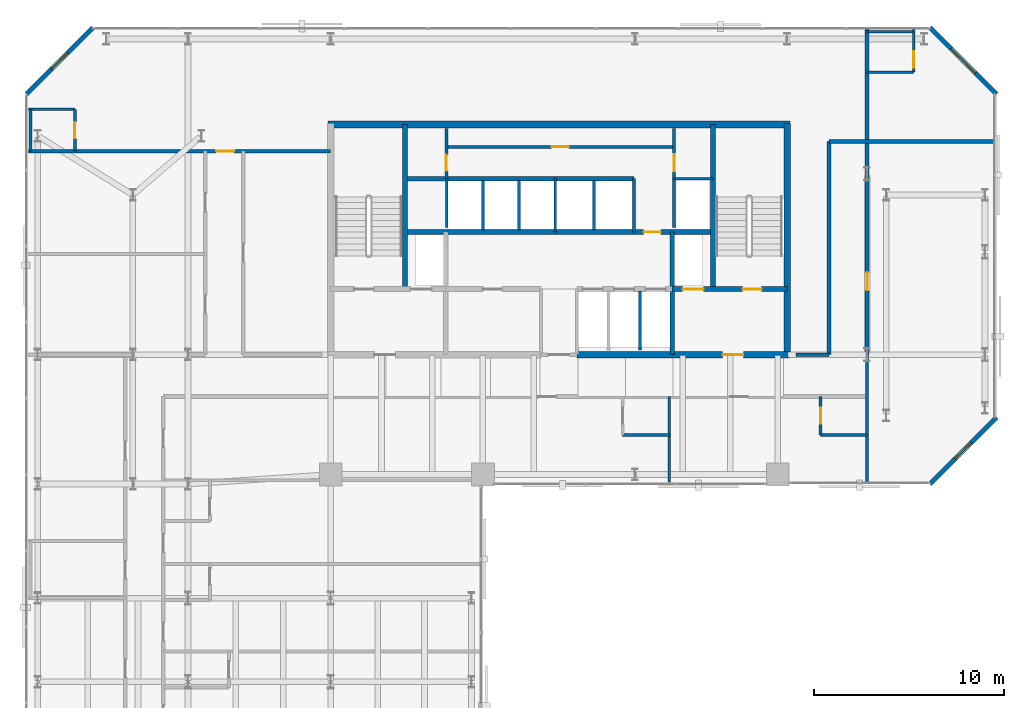
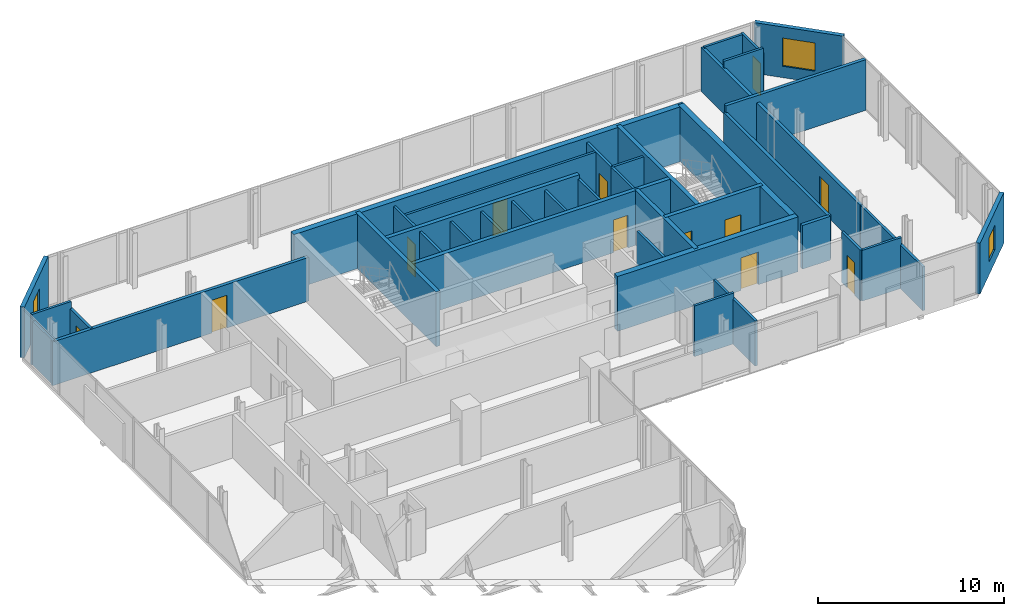
# One storey, part 29 of 32: 40 walls, 12 doors, 3 windows, 15 openings.
"""IFC4 building model written with IfcOpenShell, lengths in metres."""

from ifc_helpers import new_model, si_unit, direction, frame, frame_2d, origin, place, context, subcontext, project, spatial, rectangle, extrude, material, layer, layer_set, type_object, element, fill, save


model = new_model("IFC4")

# Units and contexts
model_context = context("Model", 3, precision=1e-05, world=origin(), true_north=direction((0.0, 1.0)))
body_context = subcontext(model_context, "Body", "Model", "MODEL_VIEW")
ifc_project = project(units=[si_unit("LENGTHUNIT", "METRE"), si_unit("AREAUNIT", "SQUARE_METRE"), si_unit("VOLUMEUNIT", "CUBIC_METRE"), si_unit("PLANEANGLEUNIT", "RADIAN"), si_unit("MASSUNIT", "GRAM", prefix="KILO")], contexts=[model_context])

# Site, building, storey
site_placement = place(None, origin())
site = spatial("IfcSite", under=ifc_project, at=site_placement, CompositionType="ELEMENT")
building_placement = place(site_placement, origin())
building = spatial("IfcBuilding", under=site, at=building_placement, Name="Catumbela Crestline Tower", CompositionType="ELEMENT")
storey_placement = place(building_placement, frame((0.0, 0.0, 122.4)))
storey = spatial("IfcBuildingStorey", under=building, at=storey_placement, Name="L31", CompositionType="ELEMENT", Elevation=122.4)

# Walls
ifc_material_1 = material(Name="Concrete C50/60", Category="concrete")
ifc_layer_1 = layer(ifc_material_1, 0.25, Name="Concrete C50/60")
ifc_layer_set_1 = layer_set([ifc_layer_1], Name="Concrete C50/60")
wall_type_1 = type_object("IfcWallType", Name="CW-250D", PredefinedType="SHEAR", material=ifc_layer_set_1)
for number, where, z_axis, x_axis, name in (
    (1, (19.9, 34.25, 0.0), (0.0, 0.0, 1.0), (0.0, 1.0, 0.0), "L31 Structural Core Shear Wall WWEB"),
    (2, (36.1, 34.25, 0.0), (0.0, 0.0, 1.0), (0.0, 1.0, 0.0), "L31 Structural Core Shear Wall EWEB"),
):
    element("IfcWall", number, at=place(storey_placement, frame(where, z_axis=z_axis, x_axis=x_axis)), inside=storey, type_object=wall_type_1, Name=name, PredefinedType="SHEAR", context=body_context, shape_type="SweptSolid", body=[
        extrude(rectangle(XDim=8.65, YDim=0.25, at=frame_2d((4.325, 0.0))), origin(), (0.0, 0.0, 1.0), 3.6),
    ])
wall_1_placement = place(storey_placement, frame((33.95, 30.8, 0.0), z_axis=(0.0, 0.0, 1.0), x_axis=(0.0, 1.0, 0.0)))
element("IfcWall", 3, at=wall_1_placement, inside=storey, type_object=wall_type_1, Name="L31 Structural Core Shear Wall FFE", PredefinedType="SHEAR", context=body_context, shape_type="SweptSolid", body=[
    extrude(rectangle(XDim=6.45, YDim=0.25, at=frame_2d((3.225, 0.0))), origin(), (0.0, 0.0, 1.0), 3.6),
])

# Wall, openings, doors
wall_2_placement = place(storey_placement, frame((33.95, 34.25, 0.0), z_axis=(0.0, 0.0, 1.0), x_axis=(1.0, 0.0, 0.0)))
wall_2 = element("IfcWall", 4, at=wall_2_placement, inside=storey, type_object=wall_type_1, Name="L31 Structural Core Shear Wall ST2S", PredefinedType="SHEAR", context=body_context, shape_type="SweptSolid", body=[
    extrude(rectangle(XDim=6.05, YDim=0.25, at=frame_2d((3.025, 0.0))), origin(), (0.0, 0.0, 1.0), 3.6),
])
opening_1_placement = place(wall_2_placement, frame((3.7, 0.0, 0.0)))
opening_1 = element("IfcOpeningElement", 5, at=opening_1_placement, cuts=wall_2, Name="Opening DF9-100", PredefinedType="OPENING", context=body_context, shape_type="SweptSolid", body=[
    extrude(rectangle(XDim=1.0, YDim=2.15, at=frame_2d((0.5, 1.075))), frame((0.0, 0.135, 0.0), z_axis=(0.0, -1.0, 0.0), x_axis=(1.0, 0.0, 0.0)), (0.0, 0.0, 1.0), 0.27),
])
opening_2_placement = place(wall_2_placement, frame((0.55, 0.0, 0.0)))
opening_2 = element("IfcOpeningElement", 6, at=opening_2_placement, cuts=wall_2, Name="Opening LD-110", PredefinedType="OPENING", context=body_context, shape_type="SweptSolid", body=[
    extrude(rectangle(XDim=1.1, YDim=2.15, at=frame_2d((0.55, 1.075))), frame((0.0, 0.135, 0.0), z_axis=(0.0, -1.0, 0.0), x_axis=(1.0, 0.0, 0.0)), (0.0, 0.0, 1.0), 0.27),
])
ifc_material_2 = material(Name="Stainless steel EN 1.4401", Category="steel")
door_type_1 = type_object("IfcDoorType", Name="DF9-100", OperationType="NOTDEFINED", PredefinedType="DOOR", material=ifc_material_2)
door_1_placement = place(opening_1_placement, origin())
door_1 = element("IfcDoor", 7, at=door_1_placement, inside=storey, type_object=door_type_1, Name="L31 Interior Door DR-L31-ST02", OperationType="SINGLE_SWING_RIGHT", OverallHeight=2.15, OverallWidth=1.0, PredefinedType="DOOR", context=body_context, shape_type="SweptSolid", body=[
    extrude(rectangle(XDim=1.0, YDim=2.15, at=frame_2d((0.5, 1.075))), frame((0.0, 0.025, 0.0), z_axis=(0.0, -1.0, 0.0), x_axis=(1.0, 0.0, 0.0)), (0.0, 0.0, 1.0), 0.05),
])
fill(opening_1, door_1)
door_type_2 = type_object("IfcDoorType", Name="LD-110", OperationType="NOTDEFINED", PredefinedType="DOOR", material=ifc_material_2)
door_2_placement = place(opening_2_placement, origin())
door_2 = element("IfcDoor", 8, at=door_2_placement, inside=storey, type_object=door_type_2, Name="L31 Lift Landing Sliding Door FL-02", OperationType="DOUBLE_DOOR_SLIDING", OverallHeight=2.15, OverallWidth=1.1, PredefinedType="DOOR", context=body_context, shape_type="SweptSolid", body=[
    extrude(rectangle(XDim=1.1, YDim=2.15, at=frame_2d((0.55, 1.075))), frame((0.0, 0.025, 0.0), z_axis=(0.0, -1.0, 0.0), x_axis=(1.0, 0.0, 0.0)), (0.0, 0.0, 1.0), 0.05),
])
fill(opening_2, door_2)

# Wall, opening, door
wall_3_placement = place(storey_placement, frame((19.9, 37.25, 0.0), z_axis=(0.0, 0.0, 1.0), x_axis=(1.0, 0.0, 0.0)))
wall_3 = element("IfcWall", 9, at=wall_3_placement, inside=storey, type_object=wall_type_1, Name="L31 Structural Core Shear Wall LIFTN", PredefinedType="SHEAR", context=body_context, shape_type="SweptSolid", body=[
    extrude(rectangle(XDim=16.2, YDim=0.25, at=frame_2d((8.1, 0.0))), origin(), (0.0, 0.0, 1.0), 3.6),
])
opening_3_placement = place(wall_3_placement, frame((12.55, 0.0, 0.0)))
opening_3 = element("IfcOpeningElement", 10, at=opening_3_placement, cuts=wall_3, Name="Opening DF9-090", PredefinedType="OPENING", context=body_context, shape_type="SweptSolid", body=[
    extrude(rectangle(XDim=0.9, YDim=2.15, at=frame_2d((0.45, 1.075))), frame((0.0, 0.135, 0.0), z_axis=(0.0, -1.0, 0.0), x_axis=(1.0, 0.0, 0.0)), (0.0, 0.0, 1.0), 0.27),
])
door_type_3 = type_object("IfcDoorType", Name="DF9-090", OperationType="NOTDEFINED", PredefinedType="DOOR", material=ifc_material_2)
door_3_placement = place(opening_3_placement, origin())
door_3 = element("IfcDoor", 11, at=door_3_placement, inside=storey, type_object=door_type_3, Name="L31 Interior Door DR-L31-CPAS1", OperationType="SINGLE_SWING_LEFT", OverallHeight=2.15, OverallWidth=0.9, PredefinedType="DOOR", context=body_context, shape_type="SweptSolid", body=[
    extrude(rectangle(XDim=0.9, YDim=2.15, at=frame_2d((0.45, 1.075))), frame((0.0, 0.025, 0.0), z_axis=(0.0, -1.0, 0.0), x_axis=(1.0, 0.0, 0.0)), (0.0, 0.0, 1.0), 0.05),
])
fill(opening_3, door_3)

# Walls
wall_4_placement = place(storey_placement, frame((19.9, 40.05, 0.0), z_axis=(0.0, 0.0, 1.0), x_axis=(1.0, 0.0, 0.0)))
element("IfcWall", 12, at=wall_4_placement, inside=storey, type_object=wall_type_1, Name="L31 Structural Core Shear Wall COREN", PredefinedType="SHEAR", context=body_context, shape_type="SweptSolid", body=[
    extrude(rectangle(XDim=12.05, YDim=0.25, at=frame_2d((6.025, 0.0))), origin(), (0.0, 0.0, 1.0), 3.6),
])
ifc_layer_2 = layer(ifc_material_1, 0.35, Name="Concrete C50/60")
ifc_layer_set_2 = layer_set([ifc_layer_2], Name="Concrete C50/60")
wall_type_2 = type_object("IfcWallType", Name="CW-350B", PredefinedType="SHEAR", material=ifc_layer_set_2)
wall_5_placement = place(storey_placement, frame((40.0, 30.65, 0.0), z_axis=(0.0, 0.0, 1.0), x_axis=(0.0, 1.0, 0.0)))
element("IfcWall", 13, at=wall_5_placement, inside=storey, type_object=wall_type_2, Name="L31 Structural Core Shear Wall E", PredefinedType="SHEAR", context=body_context, shape_type="SweptSolid", body=[
    extrude(rectangle(XDim=12.3, YDim=0.35, at=frame_2d((6.15, 0.0))), origin(), (0.0, 0.0, 1.0), 3.6),
])
wall_6_placement = place(storey_placement, frame((15.85, 42.9, 0.0), z_axis=(0.0, 0.0, 1.0), x_axis=(1.0, 0.0, 0.0)))
element("IfcWall", 14, at=wall_6_placement, inside=storey, type_object=wall_type_2, Name="L31 Structural Core Shear Wall N", PredefinedType="SHEAR", context=body_context, shape_type="SweptSolid", body=[
    extrude(rectangle(XDim=24.3, YDim=0.35, at=frame_2d((12.15, 0.0))), origin(), (0.0, 0.0, 1.0), 3.6),
])

# Wall, opening, door
wall_7_placement = place(storey_placement, frame((28.95, 30.8, 0.0), z_axis=(0.0, 0.0, 1.0), x_axis=(1.0, 0.0, 0.0)))
wall_7 = element("IfcWall", 15, at=wall_7_placement, inside=storey, type_object=wall_type_2, Name="L31 Structural Core Shear Wall SE", PredefinedType="SHEAR", context=body_context, shape_type="SweptSolid", body=[
    extrude(rectangle(XDim=11.2, YDim=0.35, at=frame_2d((5.6, 0.0))), origin(), (0.0, 0.0, 1.0), 3.6),
])
opening_4_placement = place(wall_7_placement, frame((7.65, 0.0, 0.0)))
opening_4 = element("IfcOpeningElement", 16, at=opening_4_placement, cuts=wall_7, Name="Opening DF9-110", PredefinedType="OPENING", context=body_context, shape_type="SweptSolid", body=[
    extrude(rectangle(XDim=1.1, YDim=2.15, at=frame_2d((0.55, 1.075))), frame((0.0, 0.185, 0.0), z_axis=(0.0, -1.0, 0.0), x_axis=(1.0, 0.0, 0.0)), (0.0, 0.0, 1.0), 0.37),
])
door_type_4 = type_object("IfcDoorType", Name="DF9-110", OperationType="NOTDEFINED", PredefinedType="DOOR", material=ifc_material_2)
door_4_placement = place(opening_4_placement, origin())
door_4 = element("IfcDoor", 17, at=door_4_placement, inside=storey, type_object=door_type_4, Name="L31 Interior Door DR-L31-FFE-S", OperationType="SINGLE_SWING_RIGHT", OverallHeight=2.15, OverallWidth=1.1, PredefinedType="DOOR", context=body_context, shape_type="SweptSolid", body=[
    extrude(rectangle(XDim=1.1, YDim=2.15, at=frame_2d((0.55, 1.075))), frame((0.0, 0.025, 0.0), z_axis=(0.0, -1.0, 0.0), x_axis=(1.0, 0.0, 0.0)), (0.0, 0.0, 1.0), 0.05),
])
fill(opening_4, door_4)

# Walls
ifc_material_3 = material(Name="Acoustic gypsum and mineral-wool partition")
ifc_layer_3 = layer(ifc_material_3, 0.2, Name="Acoustic gypsum and mineral-wool partition")
ifc_layer_set_3 = layer_set([ifc_layer_3], Name="Acoustic gypsum and mineral-wool partition")
wall_type_3 = type_object("IfcWallType", Name="WC-200", PredefinedType="PARTITIONING", material=ifc_layer_set_3)
wall_8_placement = place(storey_placement, frame((40.47, 30.8, 0.0), z_axis=(0.0, 0.0, 1.0), x_axis=(1.0, 0.0, 0.0)))
element("IfcWall", 18, at=wall_8_placement, inside=storey, type_object=wall_type_3, Name="L31 Interior Partition PW-L31-Z2CW-E1", PredefinedType="PARTITIONING", context=body_context, shape_type="SweptSolid", body=[
    extrude(rectangle(XDim=1.73, YDim=0.2, at=frame_2d((0.865, 0.0))), origin(), (0.0, 0.0, 1.0), 2.87),
])
wall_9_placement = place(storey_placement, frame((42.2, 30.8, 0.0), z_axis=(0.0, 0.0, 1.0), x_axis=(0.0, 1.0, 0.0)))
element("IfcWall", 19, at=wall_9_placement, inside=storey, type_object=wall_type_3, Name="L31 Interior Partition PW-L31-Z2CW-E2", PredefinedType="PARTITIONING", context=body_context, shape_type="SweptSolid", body=[
    extrude(rectangle(XDim=11.2, YDim=0.2, at=frame_2d((5.6, 0.0))), origin(), (0.0, 0.0, 1.0), 2.87),
])
wall_10_placement = place(storey_placement, frame((42.2, 42.0, 0.0), z_axis=(0.0, 0.0, 1.0), x_axis=(1.0, 0.0, 0.0)))
element("IfcWall", 20, at=wall_10_placement, inside=storey, type_object=wall_type_3, Name="L31 Interior Partition PW-L31-Z2CW-E3", PredefinedType="PARTITIONING", context=body_context, shape_type="SweptSolid", body=[
    extrude(rectangle(XDim=8.7, YDim=0.2, at=frame_2d((4.35, 0.0))), origin(), (0.0, 0.0, 1.0), 3.33),
])

# Wall, opening, door
wall_11_placement = place(storey_placement, frame((0.1, 41.5, 0.0), z_axis=(0.0, 0.0, 1.0), x_axis=(1.0, 0.0, 0.0)))
wall_11 = element("IfcWall", 21, at=wall_11_placement, inside=storey, type_object=wall_type_3, Name="L31 Interior Partition PW-L31-Z2NWT-ENT", PredefinedType="PARTITIONING", context=body_context, shape_type="SweptSolid", body=[
    extrude(rectangle(XDim=15.9, YDim=0.2, at=frame_2d((7.95, 0.0))), origin(), (0.0, 0.0, 1.0), 2.87),
])
opening_5_placement = place(wall_11_placement, frame((9.8771, 0.0, 0.0)))
opening_5 = element("IfcOpeningElement", 22, at=opening_5_placement, cuts=wall_11, Name="Opening DF6-095", PredefinedType="OPENING", context=body_context, shape_type="SweptSolid", body=[
    extrude(rectangle(XDim=0.95, YDim=2.15, at=frame_2d((0.475, 1.075))), frame((0.0, 0.11, 0.0), z_axis=(0.0, -1.0, 0.0), x_axis=(1.0, 0.0, 0.0)), (0.0, 0.0, 1.0), 0.22),
])
ifc_material_4 = material(Name="Aluminium alloy AW-6060-T66", Category="aluminium")
door_type_5 = type_object("IfcDoorType", Name="DF6-095", OperationType="NOTDEFINED", PredefinedType="DOOR", material=ifc_material_4)
door_5_placement = place(opening_5_placement, origin())
door_5 = element("IfcDoor", 23, at=door_5_placement, inside=storey, type_object=door_type_5, Name="L31 Interior Door DR-L31-Z2NWT-ENT", OperationType="SINGLE_SWING_RIGHT", OverallHeight=2.15, OverallWidth=0.95, PredefinedType="DOOR", context=body_context, shape_type="SweptSolid", body=[
    extrude(rectangle(XDim=0.95, YDim=2.15, at=frame_2d((0.475, 1.075))), frame((0.0, 0.025, 0.0), z_axis=(0.0, -1.0, 0.0), x_axis=(1.0, 0.0, 0.0)), (0.0, 0.0, 1.0), 0.05),
])
fill(opening_5, door_5)

wall_12_placement = place(storey_placement, frame((44.2, 30.8, 0.0), z_axis=(0.0, 0.0, 1.0), x_axis=(0.0, 1.0, 0.0)))
wall_12 = element("IfcWall", 24, at=wall_12_placement, inside=storey, type_object=wall_type_3, Name="L31 Interior Partition PW-L31-SE1-ENT", PredefinedType="PARTITIONING", context=body_context, shape_type="SweptSolid", body=[
    extrude(rectangle(XDim=17.1, YDim=0.2, at=frame_2d((8.55, 0.0))), origin(), (0.0, 0.0, 1.0), 2.87),
])
opening_6_placement = place(wall_12_placement, frame((3.3825, 0.0, 0.0)))
opening_6 = element("IfcOpeningElement", 25, at=opening_6_placement, cuts=wall_12, Name="Opening DF6-095", PredefinedType="OPENING", context=body_context, shape_type="SweptSolid", body=[
    extrude(rectangle(XDim=0.95, YDim=2.15, at=frame_2d((0.475, 1.075))), frame((0.0, 0.11, 0.0), z_axis=(0.0, -1.0, 0.0), x_axis=(1.0, 0.0, 0.0)), (0.0, 0.0, 1.0), 0.22),
])
door_6_placement = place(opening_6_placement, origin())
door_6 = element("IfcDoor", 26, at=door_6_placement, inside=storey, type_object=door_type_5, Name="L31 Interior Door DR-L31-SE1-ENT", OperationType="SINGLE_SWING_RIGHT", OverallHeight=2.15, OverallWidth=0.95, PredefinedType="DOOR", context=body_context, shape_type="SweptSolid", body=[
    extrude(rectangle(XDim=0.95, YDim=2.15, at=frame_2d((0.475, 1.075))), frame((0.0, 0.025, 0.0), z_axis=(0.0, -1.0, 0.0), x_axis=(1.0, 0.0, 0.0)), (0.0, 0.0, 1.0), 0.05),
])
fill(opening_6, door_6)

# Wall, opening, window
ifc_material_5 = material(Name="Angolan grey-ochre granite", Category="masonry")
ifc_layer_4 = layer(ifc_material_5, 0.25, Name="Angolan grey-ochre granite")
ifc_layer_set_4 = layer_set([ifc_layer_4], Name="Angolan grey-ochre granite")
wall_type_4 = type_object("IfcWallType", Name="WE-250", PredefinedType="STANDARD", material=ifc_layer_set_4)
wall_13_placement = place(storey_placement, frame((47.5, 24.0, 0.0), z_axis=(0.0, 0.0, 1.0), x_axis=(0.707106781187, 0.707106781187, 0.0)))
wall_13 = element("IfcWall", 27, at=wall_13_placement, inside=storey, type_object=wall_type_4, Name="L31 Granite Punched Window Wall 4-1", PredefinedType="STANDARD", context=body_context, shape_type="SweptSolid", body=[
    extrude(rectangle(XDim=4.9497, YDim=0.25, at=frame_2d((2.4748, 0.0))), origin(), (0.0, 0.0, 1.0), 3.33),
])
opening_7_placement = place(wall_13_placement, frame((1.8748, 0.0, 0.85)))
opening_7 = element("IfcOpeningElement", 28, at=opening_7_placement, cuts=wall_13, Name="Opening WN-02", PredefinedType="OPENING", context=body_context, shape_type="SweptSolid", body=[
    extrude(rectangle(XDim=1.2, YDim=1.6, at=frame_2d((0.6, 0.8))), frame((0.0, 0.135, 0.0), z_axis=(0.0, -1.0, 0.0), x_axis=(1.0, 0.0, 0.0)), (0.0, 0.0, 1.0), 0.27),
])
ifc_material_6 = material(Name="Low-E laminated solar-control double glazing", Category="glass")
window_type_1 = type_object("IfcWindowType", Name="WO-1200", PartitioningType="SINGLE_PANEL", PredefinedType="WINDOW", material=ifc_material_6)
window_1_placement = place(opening_7_placement, origin())
window_1 = element("IfcWindow", 29, at=window_1_placement, inside=storey, type_object=window_type_1, Name="L31 Facade Vision Window 176", OverallHeight=1.6, OverallWidth=1.2, PartitioningType="SINGLE_PANEL", PredefinedType="WINDOW", context=body_context, shape_type="SweptSolid", body=[
    extrude(rectangle(XDim=1.2, YDim=1.6, at=frame_2d((0.6, 0.8))), frame((0.0, 0.03, 0.0), z_axis=(0.0, -1.0, 0.0), x_axis=(1.0, 0.0, 0.0)), (0.0, 0.0, 1.0), 0.06),
])
fill(opening_7, window_1)

wall_14_placement = place(storey_placement, frame((51.0, 44.5, 0.0), z_axis=(0.0, 0.0, 1.0), x_axis=(-0.707106781187, 0.707106781187, 0.0)))
wall_14 = element("IfcWall", 30, at=wall_14_placement, inside=storey, type_object=wall_type_4, Name="L31 Granite Punched Window Wall 6-1", PredefinedType="STANDARD", context=body_context, shape_type="SweptSolid", body=[
    extrude(rectangle(XDim=4.9497, YDim=0.25, at=frame_2d((2.4748, 0.0))), origin(), (0.0, 0.0, 1.0), 3.33),
])
opening_8_placement = place(wall_14_placement, frame((1.5749, 0.0, 0.75)))
opening_8 = element("IfcOpeningElement", 31, at=opening_8_placement, cuts=wall_14, Name="Opening WN-01", PredefinedType="OPENING", context=body_context, shape_type="SweptSolid", body=[
    extrude(rectangle(XDim=1.8, YDim=1.85, at=frame_2d((0.9, 0.925))), frame((0.0, 0.135, 0.0), z_axis=(0.0, -1.0, 0.0), x_axis=(1.0, 0.0, 0.0)), (0.0, 0.0, 1.0), 0.27),
])
window_type_2 = type_object("IfcWindowType", Name="WF-1800", PartitioningType="SINGLE_PANEL", PredefinedType="WINDOW", material=ifc_material_6)
window_2_placement = place(opening_8_placement, origin())
window_2 = element("IfcWindow", 32, at=window_2_placement, inside=storey, type_object=window_type_2, Name="L31 Facade Vision Window 177", OverallHeight=1.85, OverallWidth=1.8, PartitioningType="SINGLE_PANEL", PredefinedType="WINDOW", context=body_context, shape_type="SweptSolid", body=[
    extrude(rectangle(XDim=1.8, YDim=1.85, at=frame_2d((0.9, 0.925))), frame((0.0, 0.03, 0.0), z_axis=(0.0, -1.0, 0.0), x_axis=(1.0, 0.0, 0.0)), (0.0, 0.0, 1.0), 0.06),
])
fill(opening_8, window_2)

wall_15_placement = place(storey_placement, frame((3.5, 48.0, 0.0), z_axis=(0.0, 0.0, 1.0), x_axis=(-0.707106781187, -0.707106781187, 0.0)))
wall_15 = element("IfcWall", 33, at=wall_15_placement, inside=storey, type_object=wall_type_4, Name="L31 Granite Punched Window Wall 8-1", PredefinedType="STANDARD", context=body_context, shape_type="SweptSolid", body=[
    extrude(rectangle(XDim=4.9497, YDim=0.25, at=frame_2d((2.4748, 0.0))), origin(), (0.0, 0.0, 1.0), 3.33),
])
opening_9_placement = place(wall_15_placement, frame((1.8748, 0.0, 0.85)))
opening_9 = element("IfcOpeningElement", 34, at=opening_9_placement, cuts=wall_15, Name="Opening WN-02", PredefinedType="OPENING", context=body_context, shape_type="SweptSolid", body=[
    extrude(rectangle(XDim=1.2, YDim=1.6, at=frame_2d((0.6, 0.8))), frame((0.0, 0.135, 0.0), z_axis=(0.0, -1.0, 0.0), x_axis=(1.0, 0.0, 0.0)), (0.0, 0.0, 1.0), 0.27),
])
window_3_placement = place(opening_9_placement, origin())
window_3 = element("IfcWindow", 35, at=window_3_placement, inside=storey, type_object=window_type_1, Name="L31 Facade Vision Window 178", OverallHeight=1.6, OverallWidth=1.2, PartitioningType="SINGLE_PANEL", PredefinedType="WINDOW", context=body_context, shape_type="SweptSolid", body=[
    extrude(rectangle(XDim=1.2, YDim=1.6, at=frame_2d((0.6, 0.8))), frame((0.0, 0.03, 0.0), z_axis=(0.0, -1.0, 0.0), x_axis=(1.0, 0.0, 0.0)), (0.0, 0.0, 1.0), 0.06),
])
fill(opening_9, window_3)

# Wall
ifc_layer_5 = layer(ifc_material_3, 0.15, Name="Acoustic gypsum and mineral-wool partition")
ifc_layer_set_5 = layer_set([ifc_layer_5], Name="Acoustic gypsum and mineral-wool partition")
wall_type_5 = type_object("IfcWallType", Name="WP-150", PredefinedType="PARTITIONING", material=ifc_layer_set_5)
wall_16_placement = place(storey_placement, frame((34.05, 40.05, 0.0), z_axis=(0.0, 0.0, 1.0), x_axis=(1.0, 0.0, 0.0)))
element("IfcWall", 36, at=wall_16_placement, inside=storey, type_object=wall_type_5, Name="L31 Interior Partition PW-L31-CR-ES", PredefinedType="PARTITIONING", context=body_context, shape_type="SweptSolid", body=[
    extrude(rectangle(XDim=2.05, YDim=0.15, at=frame_2d((1.025, 0.0))), origin(), (0.0, 0.0, 1.0), 3.33),
])

# Wall, opening, door
wall_17_placement = place(storey_placement, frame((34.05, 40.05, 0.0), z_axis=(0.0, 0.0, 1.0), x_axis=(0.0, 1.0, 0.0)))
wall_17 = element("IfcWall", 37, at=wall_17_placement, inside=storey, type_object=wall_type_5, Name="L31 Interior Partition PW-L31-CR-EW", PredefinedType="PARTITIONING", context=body_context, shape_type="SweptSolid", body=[
    extrude(rectangle(XDim=2.63, YDim=0.15, at=frame_2d((1.315, 0.0))), origin(), (0.0, 0.0, 1.0), 3.33),
])
opening_10_placement = place(wall_17_placement, frame((0.385, 0.0, 0.0)))
opening_10 = element("IfcOpeningElement", 38, at=opening_10_placement, cuts=wall_17, Name="Opening DF9-090", PredefinedType="OPENING", context=body_context, shape_type="SweptSolid", body=[
    extrude(rectangle(XDim=0.9, YDim=2.15, at=frame_2d((0.45, 1.075))), frame((0.0, 0.085, 0.0), z_axis=(0.0, -1.0, 0.0), x_axis=(1.0, 0.0, 0.0)), (0.0, 0.0, 1.0), 0.17),
])
door_7_placement = place(opening_10_placement, origin())
door_7 = element("IfcDoor", 39, at=door_7_placement, inside=storey, type_object=door_type_3, Name="L31 Interior Door DR-L31-CREAST", OperationType="SINGLE_SWING_RIGHT", OverallHeight=2.15, OverallWidth=0.9, PredefinedType="DOOR", context=body_context, shape_type="SweptSolid", body=[
    extrude(rectangle(XDim=0.9, YDim=2.15, at=frame_2d((0.45, 1.075))), frame((0.0, 0.025, 0.0), z_axis=(0.0, -1.0, 0.0), x_axis=(1.0, 0.0, 0.0)), (0.0, 0.0, 1.0), 0.05),
])
fill(opening_10, door_7)

wall_18_placement = place(storey_placement, frame((22.08, 40.05, 0.0), z_axis=(0.0, 0.0, 1.0), x_axis=(0.0, 1.0, 0.0)))
wall_18 = element("IfcWall", 40, at=wall_18_placement, inside=storey, type_object=wall_type_5, Name="L31 Interior Partition PW-L31-CR-WCW", PredefinedType="PARTITIONING", context=body_context, shape_type="SweptSolid", body=[
    extrude(rectangle(XDim=2.63, YDim=0.15, at=frame_2d((1.315, 0.0))), origin(), (0.0, 0.0, 1.0), 3.33),
])
opening_11_placement = place(wall_18_placement, frame((0.41, 0.0, 0.0)))
opening_11 = element("IfcOpeningElement", 41, at=opening_11_placement, cuts=wall_18, Name="Opening DI-085", PredefinedType="OPENING", context=body_context, shape_type="SweptSolid", body=[
    extrude(rectangle(XDim=0.85, YDim=2.15, at=frame_2d((0.425, 1.075))), frame((0.0, 0.085, 0.0), z_axis=(0.0, -1.0, 0.0), x_axis=(1.0, 0.0, 0.0)), (0.0, 0.0, 1.0), 0.17),
])
door_type_6 = type_object("IfcDoorType", Name="DI-085", OperationType="NOTDEFINED", PredefinedType="DOOR", material=ifc_material_4)
door_8_placement = place(opening_11_placement, origin())
door_8 = element("IfcDoor", 42, at=door_8_placement, inside=storey, type_object=door_type_6, Name="L31 Interior Door DR-L31-CRWC", OperationType="SINGLE_SWING_LEFT", OverallHeight=2.15, OverallWidth=0.85, PredefinedType="DOOR", context=body_context, shape_type="SweptSolid", body=[
    extrude(rectangle(XDim=0.85, YDim=2.15, at=frame_2d((0.425, 1.075))), frame((0.0, 0.025, 0.0), z_axis=(0.0, -1.0, 0.0), x_axis=(1.0, 0.0, 0.0)), (0.0, 0.0, 1.0), 0.05),
])
fill(opening_11, door_8)

wall_19_placement = place(storey_placement, frame((22.08, 41.72, 0.0), z_axis=(0.0, 0.0, 1.0), x_axis=(1.0, 0.0, 0.0)))
wall_19 = element("IfcWall", 43, at=wall_19_placement, inside=storey, type_object=wall_type_5, Name="L31 Interior Partition PW-L31-CR-MID", PredefinedType="PARTITIONING", context=body_context, shape_type="SweptSolid", body=[
    extrude(rectangle(XDim=11.97, YDim=0.15, at=frame_2d((5.985, 0.0))), origin(), (0.0, 0.0, 1.0), 3.33),
])
opening_12_placement = place(wall_19_placement, frame((5.535, 0.0, 0.0)))
opening_12 = element("IfcOpeningElement", 44, at=opening_12_placement, cuts=wall_19, Name="Opening DF9-090", PredefinedType="OPENING", context=body_context, shape_type="SweptSolid", body=[
    extrude(rectangle(XDim=0.9, YDim=2.15, at=frame_2d((0.45, 1.075))), frame((0.0, 0.085, 0.0), z_axis=(0.0, -1.0, 0.0), x_axis=(1.0, 0.0, 0.0)), (0.0, 0.0, 1.0), 0.17),
])
door_9_placement = place(opening_12_placement, origin())
door_9 = element("IfcDoor", 45, at=door_9_placement, inside=storey, type_object=door_type_3, Name="L31 Interior Door DR-L31-CRMID", OperationType="SINGLE_SWING_LEFT", OverallHeight=2.15, OverallWidth=0.9, PredefinedType="DOOR", context=body_context, shape_type="SweptSolid", body=[
    extrude(rectangle(XDim=0.9, YDim=2.15, at=frame_2d((0.45, 1.075))), frame((0.0, 0.025, 0.0), z_axis=(0.0, -1.0, 0.0), x_axis=(1.0, 0.0, 0.0)), (0.0, 0.0, 1.0), 0.05),
])
fill(opening_12, door_9)

# Wall
wall_20_placement = place(storey_placement, frame((0.1, 43.7, 0.0), z_axis=(0.0, 0.0, 1.0), x_axis=(1.0, 0.0, 0.0)))
element("IfcWall", 46, at=wall_20_placement, inside=storey, type_object=wall_type_5, Name="L31 Interior Partition PW-L31-Z2NWT-BHW", PredefinedType="PARTITIONING", context=body_context, shape_type="SweptSolid", body=[
    extrude(rectangle(XDim=2.45, YDim=0.15, at=frame_2d((1.225, 0.0))), origin(), (0.0, 0.0, 1.0), 3.33),
])

# Wall, opening, door
wall_21_placement = place(storey_placement, frame((2.55, 41.5, 0.0), z_axis=(0.0, 0.0, 1.0), x_axis=(0.0, 1.0, 0.0)))
wall_21 = element("IfcWall", 47, at=wall_21_placement, inside=storey, type_object=wall_type_5, Name="L31 Interior Partition PW-L31-Z2NWT-BEW", PredefinedType="PARTITIONING", context=body_context, shape_type="SweptSolid", body=[
    extrude(rectangle(XDim=2.2, YDim=0.15, at=frame_2d((1.1, 0.0))), origin(), (0.0, 0.0, 1.0), 2.87),
])
opening_13_placement = place(wall_21_placement, frame((0.675, 0.0, 0.0)))
opening_13 = element("IfcOpeningElement", 48, at=opening_13_placement, cuts=wall_21, Name="Opening DI-085", PredefinedType="OPENING", context=body_context, shape_type="SweptSolid", body=[
    extrude(rectangle(XDim=0.85, YDim=2.15, at=frame_2d((0.425, 1.075))), frame((0.0, 0.085, 0.0), z_axis=(0.0, -1.0, 0.0), x_axis=(1.0, 0.0, 0.0)), (0.0, 0.0, 1.0), 0.17),
])
door_10_placement = place(opening_13_placement, origin())
door_10 = element("IfcDoor", 49, at=door_10_placement, inside=storey, type_object=door_type_6, Name="L31 Interior Door DR-L31-Z2NWT-BTH", OperationType="SINGLE_SWING_LEFT", OverallHeight=2.15, OverallWidth=0.85, PredefinedType="DOOR", context=body_context, shape_type="SweptSolid", body=[
    extrude(rectangle(XDim=0.85, YDim=2.15, at=frame_2d((0.425, 1.075))), frame((0.0, 0.025, 0.0), z_axis=(0.0, -1.0, 0.0), x_axis=(1.0, 0.0, 0.0)), (0.0, 0.0, 1.0), 0.05),
])
fill(opening_13, door_10)

# Walls
wall_22_placement = place(storey_placement, frame((0.22, 41.5, 0.0), z_axis=(0.0, 0.0, 1.0), x_axis=(0.0, 1.0, 0.0)))
element("IfcWall", 50, at=wall_22_placement, inside=storey, type_object=wall_type_5, Name="L31 Interior Partition PW-L31-Z2NWT-BCL-2", PredefinedType="PARTITIONING", context=body_context, shape_type="SweptSolid", body=[
    extrude(rectangle(XDim=2.2, YDim=0.15, at=frame_2d((1.1, 0.0))), origin(), (0.0, 0.0, 1.0), 2.87),
])
wall_23_placement = place(storey_placement, frame((31.35, 26.576, 0.0), z_axis=(0.0, 0.0, 1.0), x_axis=(1.0, 0.0, 0.0)))
element("IfcWall", 51, at=wall_23_placement, inside=storey, type_object=wall_type_5, Name="L31 Interior Partition PW-L31-SS1-BHW", PredefinedType="PARTITIONING", context=body_context, shape_type="SweptSolid", body=[
    extrude(rectangle(XDim=2.45, YDim=0.15, at=frame_2d((1.225, 0.0))), origin(), (0.0, 0.0, 1.0), 3.33),
])
wall_24_placement = place(storey_placement, frame((33.8, 28.6, 0.0), z_axis=(0.0, 0.0, 1.0), x_axis=(0.0, -1.0, 0.0)))
element("IfcWall", 52, at=wall_24_placement, inside=storey, type_object=wall_type_5, Name="L31 Interior Partition PW-L31-SS1-BCL-2", PredefinedType="PARTITIONING", context=body_context, shape_type="SweptSolid", body=[
    extrude(rectangle(XDim=4.5, YDim=0.15, at=frame_2d((2.25, 0.0))), origin(), (0.0, 0.0, 1.0), 2.96),
])
wall_25_placement = place(storey_placement, frame((41.75, 26.576, 0.0), z_axis=(0.0, 0.0, 1.0), x_axis=(1.0, 0.0, 0.0)))
element("IfcWall", 53, at=wall_25_placement, inside=storey, type_object=wall_type_5, Name="L31 Interior Partition PW-L31-SS2-BHW", PredefinedType="PARTITIONING", context=body_context, shape_type="SweptSolid", body=[
    extrude(rectangle(XDim=2.45, YDim=0.15, at=frame_2d((1.225, 0.0))), origin(), (0.0, 0.0, 1.0), 3.33),
])

# Wall, opening, door
wall_26_placement = place(storey_placement, frame((41.75, 26.576, 0.0), z_axis=(0.0, 0.0, 1.0), x_axis=(0.0, 1.0, 0.0)))
wall_26 = element("IfcWall", 54, at=wall_26_placement, inside=storey, type_object=wall_type_5, Name="L31 Interior Partition PW-L31-SS2-BWW", PredefinedType="PARTITIONING", context=body_context, shape_type="SweptSolid", body=[
    extrude(rectangle(XDim=2.024, YDim=0.15, at=frame_2d((1.012, 0.0))), origin(), (0.0, 0.0, 1.0), 3.33),
])
opening_14_placement = place(wall_26_placement, frame((0.587, 0.0, 0.0)))
opening_14 = element("IfcOpeningElement", 55, at=opening_14_placement, cuts=wall_26, Name="Opening DI-085", PredefinedType="OPENING", context=body_context, shape_type="SweptSolid", body=[
    extrude(rectangle(XDim=0.85, YDim=2.15, at=frame_2d((0.425, 1.075))), frame((0.0, 0.085, 0.0), z_axis=(0.0, -1.0, 0.0), x_axis=(1.0, 0.0, 0.0)), (0.0, 0.0, 1.0), 0.17),
])
door_11_placement = place(opening_14_placement, origin())
door_11 = element("IfcDoor", 56, at=door_11_placement, inside=storey, type_object=door_type_6, Name="L31 Interior Door DR-L31-SS2-BTH", OperationType="SINGLE_SWING_RIGHT", OverallHeight=2.15, OverallWidth=0.85, PredefinedType="DOOR", context=body_context, shape_type="SweptSolid", body=[
    extrude(rectangle(XDim=0.85, YDim=2.15, at=frame_2d((0.425, 1.075))), frame((0.0, 0.025, 0.0), z_axis=(0.0, -1.0, 0.0), x_axis=(1.0, 0.0, 0.0)), (0.0, 0.0, 1.0), 0.05),
])
fill(opening_14, door_11)

# Walls
wall_27_placement = place(storey_placement, frame((44.2, 30.8, 0.0), z_axis=(0.0, 0.0, 1.0), x_axis=(0.0, -1.0, 0.0)))
element("IfcWall", 57, at=wall_27_placement, inside=storey, type_object=wall_type_5, Name="L31 Interior Partition PW-L31-SS2-BCL-2", PredefinedType="PARTITIONING", context=body_context, shape_type="SweptSolid", body=[
    extrude(rectangle(XDim=6.7, YDim=0.15, at=frame_2d((3.35, 0.0))), origin(), (0.0, 0.0, 1.0), 2.87),
])
wall_28_placement = place(storey_placement, frame((44.2, 45.65, 0.0), z_axis=(0.0, 0.0, 1.0), x_axis=(1.0, 0.0, 0.0)))
element("IfcWall", 58, at=wall_28_placement, inside=storey, type_object=wall_type_5, Name="L31 Interior Partition PW-L31-SE1-BSW", PredefinedType="PARTITIONING", context=body_context, shape_type="SweptSolid", body=[
    extrude(rectangle(XDim=2.45, YDim=0.15, at=frame_2d((1.225, 0.0))), origin(), (0.0, 0.0, 1.0), 3.33),
])

# Wall, opening, door
wall_29_placement = place(storey_placement, frame((46.65, 45.65, 0.0), z_axis=(0.0, 0.0, 1.0), x_axis=(0.0, 1.0, 0.0)))
wall_29 = element("IfcWall", 59, at=wall_29_placement, inside=storey, type_object=wall_type_5, Name="L31 Interior Partition PW-L31-SE1-BEW", PredefinedType="PARTITIONING", context=body_context, shape_type="SweptSolid", body=[
    extrude(rectangle(XDim=2.25, YDim=0.15, at=frame_2d((1.125, 0.0))), origin(), (0.0, 0.0, 1.0), 2.96),
])
opening_15_placement = place(wall_29_placement, frame((0.24, 0.0, 0.0)))
opening_15 = element("IfcOpeningElement", 60, at=opening_15_placement, cuts=wall_29, Name="Opening DI-085", PredefinedType="OPENING", context=body_context, shape_type="SweptSolid", body=[
    extrude(rectangle(XDim=0.85, YDim=2.15, at=frame_2d((0.425, 1.075))), frame((0.0, 0.085, 0.0), z_axis=(0.0, -1.0, 0.0), x_axis=(1.0, 0.0, 0.0)), (0.0, 0.0, 1.0), 0.17),
])
door_12_placement = place(opening_15_placement, origin())
door_12 = element("IfcDoor", 61, at=door_12_placement, inside=storey, type_object=door_type_6, Name="L31 Interior Door DR-L31-SE1-BTH", OperationType="SINGLE_SWING_LEFT", OverallHeight=2.15, OverallWidth=0.85, PredefinedType="DOOR", context=body_context, shape_type="SweptSolid", body=[
    extrude(rectangle(XDim=0.85, YDim=2.15, at=frame_2d((0.425, 1.075))), frame((0.0, 0.025, 0.0), z_axis=(0.0, -1.0, 0.0), x_axis=(1.0, 0.0, 0.0)), (0.0, 0.0, 1.0), 0.05),
])
fill(opening_15, door_12)

# Walls
wall_30_placement = place(storey_placement, frame((44.2, 47.78, 0.0), z_axis=(0.0, 0.0, 1.0), x_axis=(1.0, 0.0, 0.0)))
element("IfcWall", 62, at=wall_30_placement, inside=storey, type_object=wall_type_5, Name="L31 Interior Partition PW-L31-SE1-BCL-2", PredefinedType="PARTITIONING", context=body_context, shape_type="SweptSolid", body=[
    extrude(rectangle(XDim=2.45, YDim=0.15, at=frame_2d((1.225, 0.0))), origin(), (0.0, 0.0, 1.0), 2.96),
])
ifc_layer_6 = layer(ifc_material_3, 0.15, Name="Acoustic gypsum and mineral-wool partition")
ifc_layer_set_6 = layer_set([ifc_layer_6], Name="Acoustic gypsum and mineral-wool partition")
wall_type_6 = type_object("IfcWallType", Name="WS-150", PredefinedType="PLUMBINGWALL", material=ifc_layer_set_6)
wall_31_placement = place(storey_placement, frame((32.25, 31.05, 0.0), z_axis=(0.0, 0.0, 1.0), x_axis=(0.0, 1.0, 0.0)))
element("IfcWall", 63, at=wall_31_placement, inside=storey, type_object=wall_type_6, Name="L31 Interior Partition PW-L31-SHM2", PredefinedType="PLUMBINGWALL", context=body_context, shape_type="SweptSolid", body=[
    extrude(rectangle(XDim=3.1, YDim=0.15, at=frame_2d((1.55, 0.0))), origin(), (0.0, 0.0, 1.0), 3.33),
])
wall_32_placement = place(storey_placement, frame((22.1, 37.4897, 0.0), z_axis=(0.0, 0.0, 1.0), x_axis=(0.0, 1.0, 0.0)))
element("IfcWall", 64, at=wall_32_placement, inside=storey, type_object=wall_type_6, Name="L31 Interior Partition PW-L31-SHH0", PredefinedType="PLUMBINGWALL", context=body_context, shape_type="SweptSolid", body=[
    extrude(rectangle(XDim=2.5603, YDim=0.15, at=frame_2d((1.2801, 0.0))), origin(), (0.0, 0.0, 1.0), 3.33),
])
wall_33_placement = place(storey_placement, frame((27.8, 37.25, 0.0), z_axis=(0.0, 0.0, 1.0), x_axis=(0.0, 1.0, 0.0)))
element("IfcWall", 65, at=wall_33_placement, inside=storey, type_object=wall_type_6, Name="L31 Interior Partition PW-L31-SHH3", PredefinedType="PLUMBINGWALL", context=body_context, shape_type="SweptSolid", body=[
    extrude(rectangle(XDim=2.8, YDim=0.15, at=frame_2d((1.4, 0.0))), origin(), (0.0, 0.0, 1.0), 3.33),
])
for number, where, z_axis, x_axis, name in (
    (66, (24.0, 37.35, 0.0), (0.0, 0.0, 1.0), (0.0, 1.0, 0.0), "L31 Interior Partition PW-L31-SHH1"),
    (67, (25.9, 37.35, 0.0), (0.0, 0.0, 1.0), (0.0, 1.0, 0.0), "L31 Interior Partition PW-L31-SHH2"),
):
    element("IfcWall", number, at=place(storey_placement, frame(where, z_axis=z_axis, x_axis=x_axis)), inside=storey, type_object=wall_type_6, Name=name, PredefinedType="PLUMBINGWALL", context=body_context, shape_type="SweptSolid", body=[
        extrude(rectangle(XDim=2.6, YDim=0.15, at=frame_2d((1.3, 0.0))), origin(), (0.0, 0.0, 1.0), 3.33),
    ])
wall_34_placement = place(storey_placement, frame((31.95, 37.25, 0.0), z_axis=(0.0, 0.0, 1.0), x_axis=(0.0, 1.0, 0.0)))
element("IfcWall", 68, at=wall_34_placement, inside=storey, type_object=wall_type_6, Name="L31 Interior Partition PW-L31-SHEX2E", PredefinedType="PLUMBINGWALL", context=body_context, shape_type="SweptSolid", body=[
    extrude(rectangle(XDim=2.8, YDim=0.15, at=frame_2d((1.4, 0.0))), origin(), (0.0, 0.0, 1.0), 3.33),
])
wall_35_placement = place(storey_placement, frame((29.85, 37.35, 0.0), z_axis=(0.0, 0.0, 1.0), x_axis=(0.0, 1.0, 0.0)))
element("IfcWall", 69, at=wall_35_placement, inside=storey, type_object=wall_type_6, Name="L31 Interior Partition PW-L31-SHEX1", PredefinedType="PLUMBINGWALL", context=body_context, shape_type="SweptSolid", body=[
    extrude(rectangle(XDim=2.6, YDim=0.15, at=frame_2d((1.3, 0.0))), origin(), (0.0, 0.0, 1.0), 3.33),
])
wall_36_placement = place(storey_placement, frame((34.05, 37.4734, 0.0), z_axis=(0.0, 0.0, 1.0), x_axis=(0.0, 1.0, 0.0)))
element("IfcWall", 70, at=wall_36_placement, inside=storey, type_object=wall_type_6, Name="L31 Interior Partition PW-L31-RISW", PredefinedType="PLUMBINGWALL", context=body_context, shape_type="SweptSolid", body=[
    extrude(rectangle(XDim=2.5766, YDim=0.15, at=frame_2d((1.2883, 0.0))), origin(), (0.0, 0.0, 1.0), 3.33),
])

save(model, "model.ifc")
